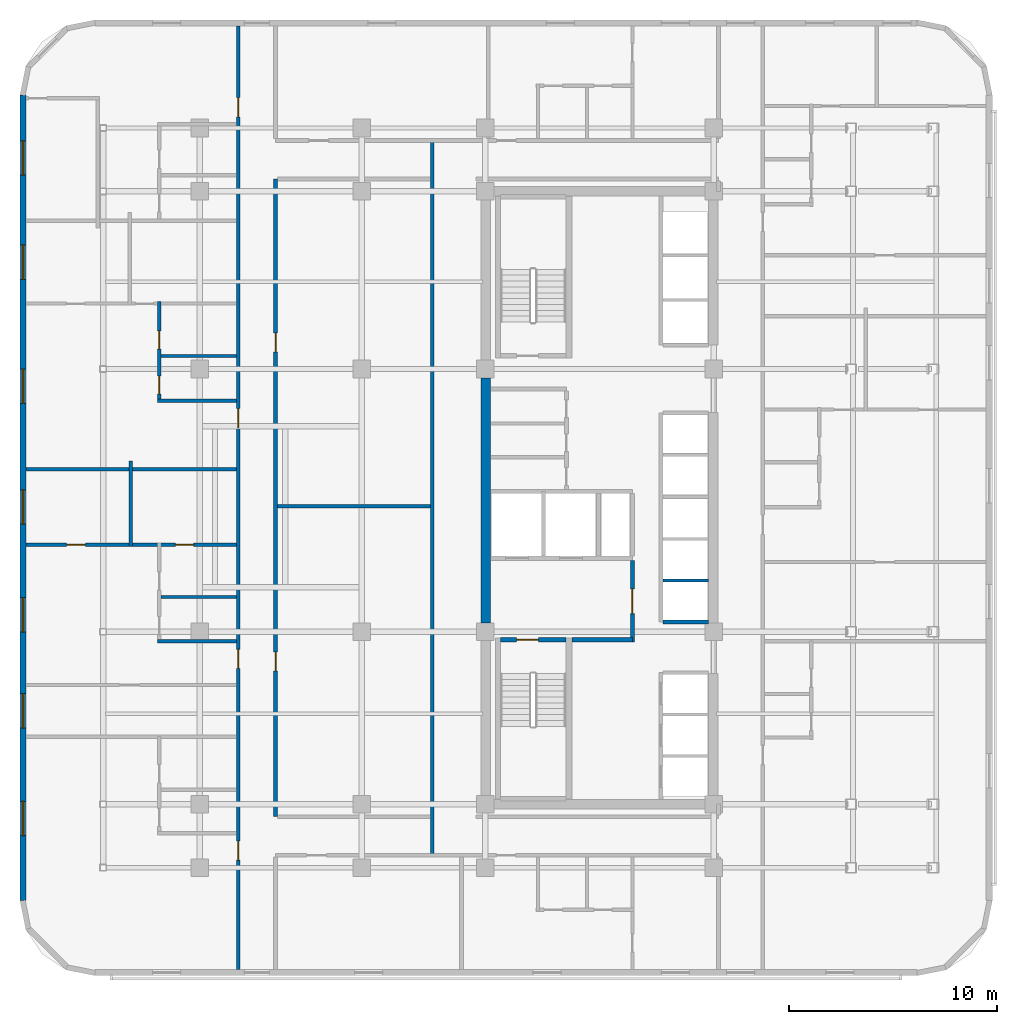
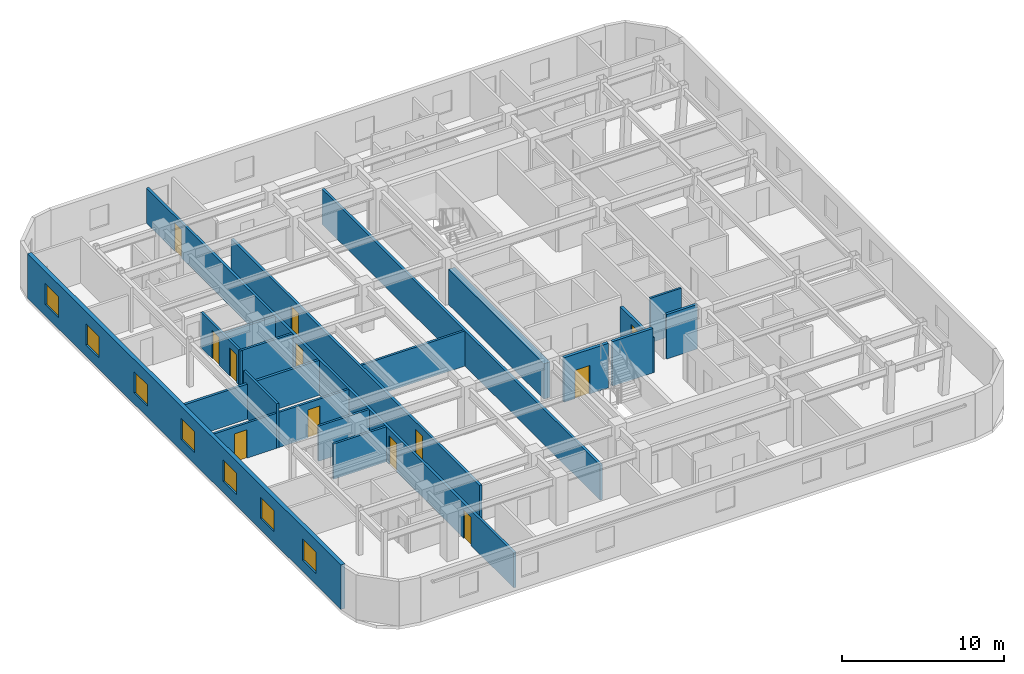
# One storey, part 7 of 14: 19 walls, 12 doors, 7 windows, 19 openings.
"""IFC4 building model written with IfcOpenShell, lengths in metres."""

import ifcopenshell
import ifcopenshell.guid

model = None  # the IFC model being written
_history = None  # IfcOwnerHistory: only IFC2X3 demands one
_inside = {}  # id of a spatial element -> (the spatial element, [elements in it])
_under = {}  # id of a project, library or spatial element -> (it, [spatial elements below it])
_declared = {}  # id of a project -> (the project, [libraries it declares])
_typed = {}  # id of a type object -> (the type object, [elements of that type])
_made_of = {}  # id of a material, layer set ... -> (it, [elements and type objects made of it])


def new_model(schema):
    """Start an empty IFC model of exactly this schema.

    Asked for "IFC4X3", IfcOpenShell would pick the latest addendum, in which some entities
    have other attributes; the version numbers below select the first issue.
    IFC2X3 requires an IfcOwnerHistory on every rooted entity: one is made here for all.
    """
    global model, _history
    if schema == "IFC4X3":
        model = ifcopenshell.file(schema_version=(4, 3, 0, 0))
    else:
        model = ifcopenshell.file(schema=schema)
    _inside.clear()
    _under.clear()
    _declared.clear()
    _typed.clear()
    _made_of.clear()
    _history = None
    if model.schema == "IFC2X3":
        org = make("IfcOrganization", Name="unknown")
        user = make(
            "IfcPersonAndOrganization",
            ThePerson=make("IfcPerson", FamilyName="unknown"),
            TheOrganization=org,
        )
        app = make(
            "IfcApplication",
            ApplicationDeveloper=org,
            Version="unknown",
            ApplicationFullName="unknown",
            ApplicationIdentifier="unknown",
        )
        _history = make(
            "IfcOwnerHistory",
            OwningUser=user,
            OwningApplication=app,
            ChangeAction="ADDED",
            CreationDate=0,
        )
    return model


def make(cls, **values):
    """One entity of the class cls with the attributes given. An attribute that is None is left unset."""
    return model.create_entity(
        cls, **{name: value for name, value in values.items() if value is not None}
    )


def rooted(cls, **values):
    """An entity with a GlobalId (a new one), such as an element, a storey or a relation."""
    return make(cls, GlobalId=ifcopenshell.guid.new(), OwnerHistory=_history, **values)


def si_unit(unit_type, name, prefix=None):
    """IfcSIUnit, for example si_unit("LENGTHUNIT", "METRE", prefix="MILLI")."""
    return make("IfcSIUnit", UnitType=unit_type, Prefix=prefix, Name=name)


def assignment(units):
    """IfcUnitAssignment: the units of a project."""
    return None if units is None else make("IfcUnitAssignment", Units=units)


def point(xyz):
    """IfcCartesianPoint."""
    return None if xyz is None else make("IfcCartesianPoint", Coordinates=xyz)


def direction(xyz):
    """IfcDirection."""
    return None if xyz is None else make("IfcDirection", DirectionRatios=xyz)


def frame(location, z_axis=None, x_axis=None):
    """IfcAxis2Placement3D, a coordinate frame: its origin and axes. An axis left out is left unset."""
    return make(
        "IfcAxis2Placement3D",
        Location=point(location),
        Axis=direction(z_axis),
        RefDirection=direction(x_axis),
    )


def frame_2d(location, x_axis=None):
    """IfcAxis2Placement2D, a coordinate frame in the plane: its origin and x axis."""
    return make(
        "IfcAxis2Placement2D", Location=point(location), RefDirection=direction(x_axis)
    )


def origin():
    """The frame at (0, 0, 0) with its axes left unset."""
    return frame((0.0, 0.0, 0.0))


def place(relative_to, where):
    """IfcLocalPlacement: puts the frame where relative to a parent placement (None: the world)."""
    return make(
        "IfcLocalPlacement", PlacementRelTo=relative_to, RelativePlacement=where
    )


def context(
    kind, dimensions, precision=None, world=None, true_north=None, identifier=None
):
    """IfcGeometricRepresentationContext, for example the 3D "Model" context."""
    return make(
        "IfcGeometricRepresentationContext",
        ContextIdentifier=identifier,
        ContextType=kind,
        CoordinateSpaceDimension=dimensions,
        Precision=precision,
        WorldCoordinateSystem=world,
        TrueNorth=true_north,
    )


def subcontext(parent, identifier, kind, view, scale=None):
    """IfcGeometricRepresentationSubContext, for example "Body" below "Model"."""
    return make(
        "IfcGeometricRepresentationSubContext",
        ContextIdentifier=identifier,
        ContextType=kind,
        ParentContext=parent,
        TargetScale=scale,
        TargetView=view,
    )


def project(units=None, contexts=None):
    """IfcProject with its units and contexts."""
    return rooted(
        "IfcProject",
        Name="project",
        RepresentationContexts=contexts,
        UnitsInContext=assignment(units),
    )


def spatial(cls, under=None, at=None, **own):
    """A site, building, storey or space (cls), placed at a placement, below another one or the project."""
    s = rooted(cls, ObjectPlacement=at, **own)
    if under is not None:
        _under.setdefault(under.id(), (under, []))[1].append(s)
    return s


def profile(cls, at=None, kind="AREA", **sizes):
    """A parametric profile (cls). Its sizes go by their IFC names, for example OverallWidth=200.0."""
    return make(cls, ProfileType=kind, Position=at, **sizes)


def rectangle(**sizes):
    """IfcRectangleProfileDef."""
    return profile("IfcRectangleProfileDef", **sizes)


def extrude(swept, where, along, depth):
    """IfcExtrudedAreaSolid: the profile swept, set in the frame where, extruded along a direction by depth."""
    return make(
        "IfcExtrudedAreaSolid",
        SweptArea=swept,
        Position=where,
        ExtrudedDirection=direction(along),
        Depth=depth,
    )


def shape(context_of_items, identifier, shape_type, items):
    """IfcShapeRepresentation: the items that make up one representation, for example the "Body"."""
    return make(
        "IfcShapeRepresentation",
        ContextOfItems=context_of_items,
        RepresentationIdentifier=identifier,
        RepresentationType=shape_type,
        Items=items,
    )


def material(Name=None, Category=None):
    """IfcMaterial."""
    return make("IfcMaterial", Name=Name, Category=Category)


def layer(
    of_material, thickness, ventilated=None, Name=None, Category=None, Priority=None
):
    """IfcMaterialLayer: one layer of a wall or slab, of a material (None: an air gap)."""
    return make(
        "IfcMaterialLayer",
        Material=of_material,
        LayerThickness=thickness,
        IsVentilated=ventilated,
        Name=Name,
        Category=Category,
        Priority=Priority,
    )


def layer_set(layers, Name=None):
    """IfcMaterialLayerSet."""
    return make("IfcMaterialLayerSet", MaterialLayers=layers, LayerSetName=Name)


def made_of(thing, what):
    """Note that an element or type object is made of a material, layer set ...; save() writes the relation."""
    if what is not None:
        _made_of.setdefault(what.id(), (what, []))[1].append(thing)
    return thing


def type_object(cls, material=None, **own):
    """A type object (cls), such as IfcWallType, which elements share."""
    return made_of(rooted(cls, **own), material)


def element(
    cls,
    number,
    at=None,
    inside=None,
    cuts=None,
    type_object=None,
    material=None,
    context=None,
    identifier="Body",
    shape_type=None,
    held_by="IfcProductDefinitionShape",
    body=None,
    shapes=None,
    **own,
):
    """One element of the class cls, such as IfcWall. Its Tag is "e" and its number.

    at: its placement. inside: the storey or other place that contains it. cuts: it is an
    opening in that element (IfcRelVoidsElement). A single representation is given by context,
    identifier, shape_type and body (its items); several are given by shapes. held_by: the class
    of the entity that holds the representations. save() writes the other relations.
    """
    e = rooted(cls, Tag="e%d" % number, ObjectPlacement=at, **own)
    if body is not None:
        shapes = [shape(context, identifier, shape_type, body)]
    if shapes is not None:
        e.Representation = make(held_by, Representations=shapes)
    if inside is not None:
        _inside.setdefault(inside.id(), (inside, []))[1].append(e)
    if cuts is not None:
        rooted(
            "IfcRelVoidsElement", RelatingBuildingElement=cuts, RelatedOpeningElement=e
        )
    if type_object is not None:
        _typed.setdefault(type_object.id(), (type_object, []))[1].append(e)
    return made_of(e, material)


def fill(opening, filler):
    """IfcRelFillsElement: the door or window that sits in an opening."""
    return rooted(
        "IfcRelFillsElement",
        RelatingOpeningElement=opening,
        RelatedBuildingElement=filler,
    )


def aggregate(whole, parts):
    """IfcRelAggregates: a whole, such as a stair, and the parts it consists of."""
    return rooted("IfcRelAggregates", RelatingObject=whole, RelatedObjects=parts)


def save(model, path):
    """Write the relations noted so far, then the file.

    IfcRelAggregates (storeys below a building ...), IfcRelContainedInSpatialStructure (elements
    in a storey), IfcRelDefinesByType, IfcRelAssociatesMaterial and IfcRelDeclares: one each for
    every whole, place, type object, material and project.
    """
    for whole, parts in _under.values():
        aggregate(whole, parts)
    for where, things in _inside.values():
        rooted(
            "IfcRelContainedInSpatialStructure",
            RelatedElements=things,
            RelatingStructure=where,
        )
    for kind, things in _typed.values():
        rooted("IfcRelDefinesByType", RelatedObjects=things, RelatingType=kind)
    for what, things in _made_of.values():
        rooted("IfcRelAssociatesMaterial", RelatedObjects=things, RelatingMaterial=what)
    for by, libraries in _declared.values():
        rooted("IfcRelDeclares", RelatingContext=by, RelatedDefinitions=libraries)
    model.write(path)


model = new_model("IFC4")

# Units and contexts
model_context = context("Model", 3, precision=1e-05, world=origin(), true_north=direction((0.0, 1.0)))
body_context = subcontext(model_context, "Body", "Model", "MODEL_VIEW")
ifc_project = project(units=[si_unit("LENGTHUNIT", "METRE"), si_unit("AREAUNIT", "SQUARE_METRE"), si_unit("VOLUMEUNIT", "CUBIC_METRE"), si_unit("PLANEANGLEUNIT", "RADIAN"), si_unit("MASSUNIT", "GRAM", prefix="KILO")], contexts=[model_context])

# Site, building, storey
site_placement = place(None, origin())
site = spatial("IfcSite", under=ifc_project, at=site_placement, CompositionType="ELEMENT")
building_placement = place(site_placement, origin())
building = spatial("IfcBuilding", under=site, at=building_placement, Name="Ochreholt Gables", CompositionType="ELEMENT")
storey_placement = place(building_placement, frame((0.0, 0.0, 52.800048828125)))
storey = spatial("IfcBuildingStorey", under=building, at=storey_placement, Name="L13", CompositionType="ELEMENT", Elevation=52.800048828125)

# Wall
ifc_material_1 = material(Name="Concrete 60 MPa", Category="concrete")
ifc_layer_1 = layer(ifc_material_1, 0.449951171875, Name="Concrete 60 MPa")
ifc_layer_set_1 = layer_set([ifc_layer_1], Name="Concrete 60 MPa")
wall_type_1 = type_object("IfcWallType", Name="WALL-CSW-450", PredefinedType="SHEAR", material=ifc_layer_set_1)
wall_1_placement = place(storey_placement, frame((24.22509765625, 17.97509765625, 0.0), z_axis=(0.0, 0.0, 1.0), x_axis=(0.0, 1.0, 0.0)))
element("IfcWall", 1, at=wall_1_placement, inside=storey, type_object=wall_type_1, Name="L13 Core West Shear Wall WM", PredefinedType="SHEAR", context=body_context, shape_type="SweptSolid", body=[
    extrude(rectangle(XDim=11.7998046875, YDim=0.449951171875, at=frame_2d((5.89990234375, 0.0))), origin(), (0.0, 0.0, 1.0), 2.6669921875),
])

# Wall, openings, windows
ifc_material_2 = material(Name="Precast concrete 40 MPa", Category="concrete")
ifc_layer_2 = layer(ifc_material_2, 0.2900390625, Name="Precast concrete 40 MPa")
ifc_layer_set_2 = layer_set([ifc_layer_2], Name="Precast concrete 40 MPa")
wall_type_2 = type_object("IfcWallType", Name="WALL-EXT-290", PredefinedType="SOLIDWALL", material=ifc_layer_set_2)
wall_2_placement = place(storey_placement, frame((1.945068359375, 43.3798828125, 0.0), z_axis=(0.0, 0.0, 1.0), x_axis=(0.0, -1.0, 0.0)))
wall_2 = element("IfcWall", 2, at=wall_2_placement, inside=storey, type_object=wall_type_2, Name="L13 West Exterior Wall", PredefinedType="SOLIDWALL", context=body_context, shape_type="SweptSolid", body=[
    extrude(rectangle(XDim=38.759765625, YDim=0.2900390625, at=frame_2d((19.3798828125, 0.0))), origin(), (0.0, 0.0, 1.0), 3.35986328125),
])
opening_1_placement = place(wall_2_placement, frame((33.9951171875, 0.0, 0.85009765625)))
opening_1 = element("IfcOpeningElement", 3, at=opening_1_placement, cuts=wall_2, Name="Opening WN-7", PredefinedType="OPENING", context=body_context, shape_type="SweptSolid", body=[
    extrude(rectangle(XDim=1.64990234375, YDim=1.60009765625, at=frame_2d((0.824951171875, 0.800048828125))), frame((0.0, 0.155029296875, 0.0), z_axis=(0.0, -1.0, 0.0), x_axis=(1.0, 0.0, 0.0)), (0.0, 0.0, 1.0), 0.31005859375),
])
opening_2_placement = place(wall_2_placement, frame((28.81005859375, 0.0, 0.85009765625)))
opening_2 = element("IfcOpeningElement", 4, at=opening_2_placement, cuts=wall_2, Name="Opening WN-7", PredefinedType="OPENING", context=body_context, shape_type="SweptSolid", body=[
    extrude(rectangle(XDim=1.64990234375, YDim=1.60009765625, at=frame_2d((0.824951171875, 0.800048828125))), frame((0.0, 0.155029296875, 0.0), z_axis=(0.0, -1.0, 0.0), x_axis=(1.0, 0.0, 0.0)), (0.0, 0.0, 1.0), 0.31005859375),
])
opening_3_placement = place(wall_2_placement, frame((24.18994140625, 0.0, 0.85009765625)))
opening_3 = element("IfcOpeningElement", 5, at=opening_3_placement, cuts=wall_2, Name="Opening WN-7", PredefinedType="OPENING", context=body_context, shape_type="SweptSolid", body=[
    extrude(rectangle(XDim=1.64990234375, YDim=1.60009765625, at=frame_2d((0.824951171875, 0.800048828125))), frame((0.0, 0.155029296875, 0.0), z_axis=(0.0, -1.0, 0.0), x_axis=(1.0, 0.0, 0.0)), (0.0, 0.0, 1.0), 0.31005859375),
])
opening_4_placement = place(wall_2_placement, frame((18.9951171875, 0.0, 0.85009765625)))
opening_4 = element("IfcOpeningElement", 6, at=opening_4_placement, cuts=wall_2, Name="Opening WN-7", PredefinedType="OPENING", context=body_context, shape_type="SweptSolid", body=[
    extrude(rectangle(XDim=1.64990234375, YDim=1.60009765625, at=frame_2d((0.824951171875, 0.800048828125))), frame((0.0, 0.155029296875, 0.0), z_axis=(0.0, -1.0, 0.0), x_axis=(1.0, 0.0, 0.0)), (0.0, 0.0, 1.0), 0.31005859375),
])
opening_5_placement = place(wall_2_placement, frame((13.18994140625, 0.0, 0.85009765625)))
opening_5 = element("IfcOpeningElement", 7, at=opening_5_placement, cuts=wall_2, Name="Opening WN-7", PredefinedType="OPENING", context=body_context, shape_type="SweptSolid", body=[
    extrude(rectangle(XDim=1.64990234375, YDim=1.60009765625, at=frame_2d((0.824951171875, 0.800048828125))), frame((0.0, 0.155029296875, 0.0), z_axis=(0.0, -1.0, 0.0), x_axis=(1.0, 0.0, 0.0)), (0.0, 0.0, 1.0), 0.31005859375),
])
opening_6_placement = place(wall_2_placement, frame((7.2099609375, 0.0, 0.85009765625)))
opening_6 = element("IfcOpeningElement", 8, at=opening_6_placement, cuts=wall_2, Name="Opening WN-7", PredefinedType="OPENING", context=body_context, shape_type="SweptSolid", body=[
    extrude(rectangle(XDim=1.64990234375, YDim=1.60009765625, at=frame_2d((0.824951171875, 0.800048828125))), frame((0.0, 0.155029296875, 0.0), z_axis=(0.0, -1.0, 0.0), x_axis=(1.0, 0.0, 0.0)), (0.0, 0.0, 1.0), 0.31005859375),
])
opening_7_placement = place(wall_2_placement, frame((2.195068359375, 0.0, 0.85009765625)))
opening_7 = element("IfcOpeningElement", 9, at=opening_7_placement, cuts=wall_2, Name="Opening WN-7", PredefinedType="OPENING", context=body_context, shape_type="SweptSolid", body=[
    extrude(rectangle(XDim=1.64990234375, YDim=1.60009765625, at=frame_2d((0.824951171875, 0.800048828125))), frame((0.0, 0.155029296875, 0.0), z_axis=(0.0, -1.0, 0.0), x_axis=(1.0, 0.0, 0.0)), (0.0, 0.0, 1.0), 0.31005859375),
])
ifc_material_3 = material(Name="Triple-Glazed Thermally Broken Aluminium Window", Category="aluminium")
window_type = type_object("IfcWindowType", Name="WIN-RES-1650", PartitioningType="SINGLE_PANEL", PredefinedType="WINDOW", material=ifc_material_3)
window_1_placement = place(opening_1_placement, origin())
window_1 = element("IfcWindow", 10, at=window_1_placement, inside=storey, type_object=window_type, Name="L13 Window W-EXT-W-L13-1", OverallHeight=1.60009765625, OverallWidth=1.64990234375, PartitioningType="SINGLE_PANEL", PredefinedType="WINDOW", context=body_context, shape_type="SweptSolid", body=[
    extrude(rectangle(XDim=1.64990234375, YDim=1.60009765625, at=frame_2d((0.824951171875, 0.800048828125))), frame((0.0, 0.030029296875, 0.0), z_axis=(0.0, -1.0, 0.0), x_axis=(1.0, 0.0, 0.0)), (0.0, 0.0, 1.0), 0.06005859375),
])
fill(opening_1, window_1)
window_2_placement = place(opening_2_placement, origin())
window_2 = element("IfcWindow", 11, at=window_2_placement, inside=storey, type_object=window_type, Name="L13 Window W-EXT-W-L13-2", OverallHeight=1.60009765625, OverallWidth=1.64990234375, PartitioningType="SINGLE_PANEL", PredefinedType="WINDOW", context=body_context, shape_type="SweptSolid", body=[
    extrude(rectangle(XDim=1.64990234375, YDim=1.60009765625, at=frame_2d((0.824951171875, 0.800048828125))), frame((0.0, 0.030029296875, 0.0), z_axis=(0.0, -1.0, 0.0), x_axis=(1.0, 0.0, 0.0)), (0.0, 0.0, 1.0), 0.06005859375),
])
fill(opening_2, window_2)
window_3_placement = place(opening_3_placement, origin())
window_3 = element("IfcWindow", 12, at=window_3_placement, inside=storey, type_object=window_type, Name="L13 Window W-EXT-W-L13-3", OverallHeight=1.60009765625, OverallWidth=1.64990234375, PartitioningType="SINGLE_PANEL", PredefinedType="WINDOW", context=body_context, shape_type="SweptSolid", body=[
    extrude(rectangle(XDim=1.64990234375, YDim=1.60009765625, at=frame_2d((0.824951171875, 0.800048828125))), frame((0.0, 0.030029296875, 0.0), z_axis=(0.0, -1.0, 0.0), x_axis=(1.0, 0.0, 0.0)), (0.0, 0.0, 1.0), 0.06005859375),
])
fill(opening_3, window_3)
window_4_placement = place(opening_4_placement, origin())
window_4 = element("IfcWindow", 13, at=window_4_placement, inside=storey, type_object=window_type, Name="L13 Window W-EXT-W-L13-4", OverallHeight=1.60009765625, OverallWidth=1.64990234375, PartitioningType="SINGLE_PANEL", PredefinedType="WINDOW", context=body_context, shape_type="SweptSolid", body=[
    extrude(rectangle(XDim=1.64990234375, YDim=1.60009765625, at=frame_2d((0.824951171875, 0.800048828125))), frame((0.0, 0.030029296875, 0.0), z_axis=(0.0, -1.0, 0.0), x_axis=(1.0, 0.0, 0.0)), (0.0, 0.0, 1.0), 0.06005859375),
])
fill(opening_4, window_4)
window_5_placement = place(opening_5_placement, origin())
window_5 = element("IfcWindow", 14, at=window_5_placement, inside=storey, type_object=window_type, Name="L13 Window W-EXT-W-L13-5", OverallHeight=1.60009765625, OverallWidth=1.64990234375, PartitioningType="SINGLE_PANEL", PredefinedType="WINDOW", context=body_context, shape_type="SweptSolid", body=[
    extrude(rectangle(XDim=1.64990234375, YDim=1.60009765625, at=frame_2d((0.824951171875, 0.800048828125))), frame((0.0, 0.030029296875, 0.0), z_axis=(0.0, -1.0, 0.0), x_axis=(1.0, 0.0, 0.0)), (0.0, 0.0, 1.0), 0.06005859375),
])
fill(opening_5, window_5)
window_6_placement = place(opening_6_placement, origin())
window_6 = element("IfcWindow", 15, at=window_6_placement, inside=storey, type_object=window_type, Name="L13 Window W-EXT-W-L13-6", OverallHeight=1.60009765625, OverallWidth=1.64990234375, PartitioningType="SINGLE_PANEL", PredefinedType="WINDOW", context=body_context, shape_type="SweptSolid", body=[
    extrude(rectangle(XDim=1.64990234375, YDim=1.60009765625, at=frame_2d((0.824951171875, 0.800048828125))), frame((0.0, 0.030029296875, 0.0), z_axis=(0.0, -1.0, 0.0), x_axis=(1.0, 0.0, 0.0)), (0.0, 0.0, 1.0), 0.06005859375),
])
fill(opening_6, window_6)
window_7_placement = place(opening_7_placement, origin())
window_7 = element("IfcWindow", 16, at=window_7_placement, inside=storey, type_object=window_type, Name="L13 Window W-EXT-W-L13-7", OverallHeight=1.60009765625, OverallWidth=1.64990234375, PartitioningType="SINGLE_PANEL", PredefinedType="WINDOW", context=body_context, shape_type="SweptSolid", body=[
    extrude(rectangle(XDim=1.64990234375, YDim=1.60009765625, at=frame_2d((0.824951171875, 0.800048828125))), frame((0.0, 0.030029296875, 0.0), z_axis=(0.0, -1.0, 0.0), x_axis=(1.0, 0.0, 0.0)), (0.0, 0.0, 1.0), 0.06005859375),
])
fill(opening_7, window_7)

# Wall
ifc_material_4 = material(Name="Concrete 40 MPa", Category="concrete")
ifc_layer_3 = layer(ifc_material_4, 0.199951171875, Name="Concrete 40 MPa")
ifc_layer_set_3 = layer_set([ifc_layer_3], Name="Concrete 40 MPa")
wall_type_3 = type_object("IfcWallType", Name="WALL-INT-CF200", PredefinedType="STANDARD", material=ifc_layer_set_3)
wall_3_placement = place(storey_placement, frame((28.3798828125, 17.169921875, 0.0), z_axis=(0.0, 0.0, 1.0), x_axis=(1.0, 0.0, 0.0)))
element("IfcWall", 17, at=wall_3_placement, inside=storey, type_object=wall_type_3, Name="L13 Interior Wall WI-FFS-L13", PredefinedType="STANDARD", context=body_context, shape_type="SweptSolid", body=[
    extrude(rectangle(XDim=2.900146484375, YDim=0.199951171875, at=frame_2d((1.4501953125, 0.0))), origin(), (0.0, 0.0, 1.0), 3.35986328125),
])

# Wall, opening, door
wall_4_placement = place(storey_placement, frame((31.280029296875, 17.070068359375, 0.0), z_axis=(0.0, 0.0, 1.0), x_axis=(0.0, 1.0, 0.0)))
wall_4 = element("IfcWall", 18, at=wall_4_placement, inside=storey, type_object=wall_type_3, Name="L13 Interior Wall WI-FFE-L13", PredefinedType="STANDARD", context=body_context, shape_type="SweptSolid", body=[
    extrude(rectangle(XDim=3.919921875, YDim=0.199951171875, at=frame_2d((1.9599609375, 0.0))), origin(), (0.0, 0.0, 1.0), 2.64892578125),
])
opening_8_placement = place(wall_4_placement, frame((1.35009765625, 0.0, 0.0)))
opening_8 = element("IfcOpeningElement", 19, at=opening_8_placement, cuts=wall_4, Name="Opening D-FFL", PredefinedType="OPENING", context=body_context, shape_type="SweptSolid", body=[
    extrude(rectangle(XDim=1.199951171875, YDim=2.14990234375, at=frame_2d((0.60009765625, 1.074951171875))), frame((0.0, 0.10986328125, 0.0), z_axis=(0.0, -1.0, 0.0), x_axis=(1.0, 0.0, 0.0)), (0.0, 0.0, 1.0), 0.219970703125),
])
ifc_material_5 = material(Name="Hollow Metal Steel", Category="steel")
door_type_1 = type_object("IfcDoorType", Name="DR-INT-FFL1200", OperationType="NOTDEFINED", PredefinedType="DOOR", material=ifc_material_5)
door_1_placement = place(opening_8_placement, origin())
door_1 = element("IfcDoor", 20, at=door_1_placement, inside=storey, type_object=door_type_1, Name="L13 Door D-FFL-L13", OperationType="SINGLE_SWING_LEFT", OverallHeight=2.14990234375, OverallWidth=1.199951171875, PredefinedType="DOOR", context=body_context, shape_type="SweptSolid", body=[
    extrude(rectangle(XDim=1.199951171875, YDim=2.14990234375, at=frame_2d((0.60009765625, 1.074951171875))), frame((0.0, 0.02490234375, 0.0), z_axis=(0.0, -1.0, 0.0), x_axis=(1.0, 0.0, 0.0)), (0.0, 0.0, 1.0), 0.050048828125),
])
fill(opening_8, door_1)

# Wall
ifc_material_6 = material(Name="Fire-Rated Gypsum Acoustic Partition", Category="gypsum")
ifc_layer_4 = layer(ifc_material_6, 0.179931640625, Name="Fire-Rated Gypsum Acoustic Partition")
ifc_layer_set_4 = layer_set([ifc_layer_4], Name="Fire-Rated Gypsum Acoustic Partition")
wall_type_4 = type_object("IfcWallType", Name="WALL-INT-CR180", PredefinedType="STANDARD", material=ifc_layer_set_4)
wall_5_placement = place(storey_placement, frame((21.64990234375, 6.800048828125, 0.0), z_axis=(0.0, 0.0, 1.0), x_axis=(0.0, 1.0, 0.0)))
element("IfcWall", 21, at=wall_5_placement, inside=storey, type_object=wall_type_4, Name="L13 Interior Wall WI-C1W-L13", PredefinedType="STANDARD", context=body_context, shape_type="SweptSolid", body=[
    extrude(rectangle(XDim=34.39990234375, YDim=0.179931640625, at=frame_2d((17.199951171875, 0.0))), origin(), (0.0, 0.0, 1.0), 2.64892578125),
])

# Wall, openings, doors
wall_6_placement = place(storey_placement, frame((12.300048828125, 1.2900390625, 0.0), z_axis=(0.0, 0.0, 1.0), x_axis=(0.0, 1.0, 0.0)))
wall_6 = element("IfcWall", 22, at=wall_6_placement, inside=storey, type_object=wall_type_4, Name="L13 Interior Wall WI-C1WW-L13", PredefinedType="STANDARD", context=body_context, shape_type="SweptSolid", body=[
    extrude(rectangle(XDim=45.419921875, YDim=0.179931640625, at=frame_2d((22.7099609375, 0.0))), origin(), (0.0, 0.0, 1.0), 2.64892578125),
])
opening_9_placement = place(wall_6_placement, frame((5.27001953125, 0.0, 0.0)))
opening_9 = element("IfcOpeningElement", 23, at=opening_9_placement, cuts=wall_6, Name="Opening D-UN1", PredefinedType="OPENING", context=body_context, shape_type="SweptSolid", body=[
    extrude(rectangle(XDim=0.919921875, YDim=2.14990234375, at=frame_2d((0.4599609375, 1.074951171875))), frame((0.0, 0.099853515625, 0.0), z_axis=(0.0, -1.0, 0.0), x_axis=(1.0, 0.0, 0.0)), (0.0, 0.0, 1.0), 0.199951171875),
])
opening_10_placement = place(wall_6_placement, frame((14.5, 0.0, 0.0)))
opening_10 = element("IfcOpeningElement", 24, at=opening_10_placement, cuts=wall_6, Name="Opening D-UN1", PredefinedType="OPENING", context=body_context, shape_type="SweptSolid", body=[
    extrude(rectangle(XDim=0.919921875, YDim=2.14990234375, at=frame_2d((0.4599609375, 1.074951171875))), frame((0.0, 0.099853515625, 0.0), z_axis=(0.0, -1.0, 0.0), x_axis=(1.0, 0.0, 0.0)), (0.0, 0.0, 1.0), 0.199951171875),
])
opening_11_placement = place(wall_6_placement, frame((26.08154296875, 0.0, 0.0)))
opening_11 = element("IfcOpeningElement", 25, at=opening_11_placement, cuts=wall_6, Name="Opening D-UN1", PredefinedType="OPENING", context=body_context, shape_type="SweptSolid", body=[
    extrude(rectangle(XDim=0.919921875, YDim=2.14990234375, at=frame_2d((0.4599609375, 1.074951171875))), frame((0.0, 0.099853515625, 0.0), z_axis=(0.0, -1.0, 0.0), x_axis=(1.0, 0.0, 0.0)), (0.0, 0.0, 1.0), 0.199951171875),
])
opening_12_placement = place(wall_6_placement, frame((41.050048828125, 0.0, 0.0)))
opening_12 = element("IfcOpeningElement", 26, at=opening_12_placement, cuts=wall_6, Name="Opening D-UN1", PredefinedType="OPENING", context=body_context, shape_type="SweptSolid", body=[
    extrude(rectangle(XDim=0.919921875, YDim=2.14990234375, at=frame_2d((0.4599609375, 1.074951171875))), frame((0.0, 0.099853515625, 0.0), z_axis=(0.0, -1.0, 0.0), x_axis=(1.0, 0.0, 0.0)), (0.0, 0.0, 1.0), 0.199951171875),
])
ifc_material_7 = material(Name="Engineered Oak Timber", Category="wood")
door_type_2 = type_object("IfcDoorType", Name="DR-INT-UNT920", OperationType="NOTDEFINED", PredefinedType="DOOR", material=ifc_material_7)
door_2_placement = place(opening_9_placement, origin())
door_2 = element("IfcDoor", 27, at=door_2_placement, inside=storey, type_object=door_type_2, Name="L13 Door D-U-L13W1-ENT", OperationType="SINGLE_SWING_LEFT", OverallHeight=2.14990234375, OverallWidth=0.919921875, PredefinedType="DOOR", context=body_context, shape_type="SweptSolid", body=[
    extrude(rectangle(XDim=0.919921875, YDim=2.14990234375, at=frame_2d((0.4599609375, 1.074951171875))), frame((0.0, 0.02490234375, 0.0), z_axis=(0.0, -1.0, 0.0), x_axis=(1.0, 0.0, 0.0)), (0.0, 0.0, 1.0), 0.050048828125),
])
fill(opening_9, door_2)
door_3_placement = place(opening_10_placement, origin())
door_3 = element("IfcDoor", 28, at=door_3_placement, inside=storey, type_object=door_type_2, Name="L13 Door D-U-L13W2-ENT", OperationType="SINGLE_SWING_RIGHT", OverallHeight=2.14990234375, OverallWidth=0.919921875, PredefinedType="DOOR", context=body_context, shape_type="SweptSolid", body=[
    extrude(rectangle(XDim=0.919921875, YDim=2.14990234375, at=frame_2d((0.4599609375, 1.074951171875))), frame((0.0, 0.02490234375, 0.0), z_axis=(0.0, -1.0, 0.0), x_axis=(1.0, 0.0, 0.0)), (0.0, 0.0, 1.0), 0.050048828125),
])
fill(opening_10, door_3)
door_4_placement = place(opening_11_placement, origin())
door_4 = element("IfcDoor", 29, at=door_4_placement, inside=storey, type_object=door_type_2, Name="L13 Door D-U-L13W3-ENT", OperationType="SINGLE_SWING_LEFT", OverallHeight=2.14990234375, OverallWidth=0.919921875, PredefinedType="DOOR", context=body_context, shape_type="SweptSolid", body=[
    extrude(rectangle(XDim=0.919921875, YDim=2.14990234375, at=frame_2d((0.4599609375, 1.074951171875))), frame((0.0, 0.02490234375, 0.0), z_axis=(0.0, -1.0, 0.0), x_axis=(1.0, 0.0, 0.0)), (0.0, 0.0, 1.0), 0.050048828125),
])
fill(opening_11, door_4)
door_5_placement = place(opening_12_placement, origin())
door_5 = element("IfcDoor", 30, at=door_5_placement, inside=storey, type_object=door_type_2, Name="L13 Door D-U-L13W4-ENT", OperationType="SINGLE_SWING_RIGHT", OverallHeight=2.14990234375, OverallWidth=0.919921875, PredefinedType="DOOR", context=body_context, shape_type="SweptSolid", body=[
    extrude(rectangle(XDim=0.919921875, YDim=2.14990234375, at=frame_2d((0.4599609375, 1.074951171875))), frame((0.0, 0.02490234375, 0.0), z_axis=(0.0, -1.0, 0.0), x_axis=(1.0, 0.0, 0.0)), (0.0, 0.0, 1.0), 0.050048828125),
])
fill(opening_12, door_5)

wall_7_placement = place(storey_placement, frame((14.10009765625, 8.64990234375, 0.0), z_axis=(0.0, 0.0, 1.0), x_axis=(0.0, 1.0, 0.0)))
wall_7 = element("IfcWall", 31, at=wall_7_placement, inside=storey, type_object=wall_type_4, Name="L13 Interior Wall WI-C1WE-L13", PredefinedType="STANDARD", context=body_context, shape_type="SweptSolid", body=[
    extrude(rectangle(XDim=30.7001953125, YDim=0.179931640625, at=frame_2d((15.35009765625, 0.0))), origin(), (0.0, 0.0, 1.0), 2.64892578125),
])
opening_13_placement = place(wall_7_placement, frame((7.02490234375, 0.0, 0.0)))
opening_13 = element("IfcOpeningElement", 32, at=opening_13_placement, cuts=wall_7, Name="Opening D-SV1", PredefinedType="OPENING", context=body_context, shape_type="SweptSolid", body=[
    extrude(rectangle(XDim=0.89990234375, YDim=2.10009765625, at=frame_2d((0.449951171875, 1.050048828125))), frame((0.0, 0.099853515625, 0.0), z_axis=(0.0, -1.0, 0.0), x_axis=(1.0, 0.0, 0.0)), (0.0, 0.0, 1.0), 0.199951171875),
])
opening_14_placement = place(wall_7_placement, frame((22.375, 0.0, 0.0)))
opening_14 = element("IfcOpeningElement", 33, at=opening_14_placement, cuts=wall_7, Name="Opening D-SV1", PredefinedType="OPENING", context=body_context, shape_type="SweptSolid", body=[
    extrude(rectangle(XDim=0.89990234375, YDim=2.10009765625, at=frame_2d((0.449951171875, 1.050048828125))), frame((0.0, 0.099853515625, 0.0), z_axis=(0.0, -1.0, 0.0), x_axis=(1.0, 0.0, 0.0)), (0.0, 0.0, 1.0), 0.199951171875),
])
door_type_3 = type_object("IfcDoorType", Name="DR-INT-SRV900", OperationType="NOTDEFINED", PredefinedType="DOOR", material=ifc_material_5)
door_6_placement = place(opening_13_placement, origin())
door_6 = element("IfcDoor", 34, at=door_6_placement, inside=storey, type_object=door_type_3, Name="L13 Door D-C1IW1-L13", OperationType="SINGLE_SWING_LEFT", OverallHeight=2.10009765625, OverallWidth=0.89990234375, PredefinedType="DOOR", context=body_context, shape_type="SweptSolid", body=[
    extrude(rectangle(XDim=0.89990234375, YDim=2.10009765625, at=frame_2d((0.449951171875, 1.050048828125))), frame((0.0, 0.02490234375, 0.0), z_axis=(0.0, -1.0, 0.0), x_axis=(1.0, 0.0, 0.0)), (0.0, 0.0, 1.0), 0.050048828125),
])
fill(opening_13, door_6)
door_7_placement = place(opening_14_placement, origin())
door_7 = element("IfcDoor", 35, at=door_7_placement, inside=storey, type_object=door_type_3, Name="L13 Door D-C1IW2-L13", OperationType="SINGLE_SWING_RIGHT", OverallHeight=2.10009765625, OverallWidth=0.89990234375, PredefinedType="DOOR", context=body_context, shape_type="SweptSolid", body=[
    extrude(rectangle(XDim=0.89990234375, YDim=2.10009765625, at=frame_2d((0.449951171875, 1.050048828125))), frame((0.0, 0.02490234375, 0.0), z_axis=(0.0, -1.0, 0.0), x_axis=(1.0, 0.0, 0.0)), (0.0, 0.0, 1.0), 0.050048828125),
])
fill(opening_14, door_7)

# Walls
ifc_material_8 = material(Name="Double-Stud Acoustic Demising Wall", Category="gypsum")
ifc_layer_5 = layer(ifc_material_8, 0.179931640625, Name="Double-Stud Acoustic Demising Wall")
ifc_layer_set_5 = layer_set([ifc_layer_5], Name="Double-Stud Acoustic Demising Wall")
wall_type_5 = type_object("IfcWallType", Name="WALL-INT-DM180", PredefinedType="PARTITIONING", material=ifc_layer_set_5)
wall_8_placement = place(storey_placement, frame((2.090087890625, 25.3798828125, 0.0), z_axis=(0.0, 0.0, 1.0), x_axis=(1.0, 0.0, 0.0)))
element("IfcWall", 36, at=wall_8_placement, inside=storey, type_object=wall_type_5, Name="L13 Interior Wall WI-UDW3-L13", PredefinedType="PARTITIONING", context=body_context, shape_type="SweptSolid", body=[
    extrude(rectangle(XDim=10.119873046875, YDim=0.179931640625, at=frame_2d((5.06005859375, 0.0))), origin(), (0.0, 0.0, 1.0), 2.64892578125),
])
ifc_material_9 = material(Name="Moisture-Resistant Plumbing Chase Wall", Category="gypsum")
ifc_layer_6 = layer(ifc_material_9, 0.159912109375, Name="Moisture-Resistant Plumbing Chase Wall")
ifc_layer_set_6 = layer_set([ifc_layer_6], Name="Moisture-Resistant Plumbing Chase Wall")
wall_type_6 = type_object("IfcWallType", Name="WALL-INT-PL160", PredefinedType="PLUMBINGWALL", material=ifc_layer_set_6)
wall_9_placement = place(storey_placement, frame((8.429931640625, 17.090087890625, 0.0), z_axis=(0.0, 0.0, 1.0), x_axis=(1.0, 0.0, 0.0)))
element("IfcWall", 37, at=wall_9_placement, inside=storey, type_object=wall_type_6, Name="L13 Interior Wall WU-L13W2-FYS", PredefinedType="PLUMBINGWALL", context=body_context, shape_type="SweptSolid", body=[
    extrude(rectangle(XDim=3.780029296875, YDim=0.159912109375, at=frame_2d((1.89013671875, 0.0))), origin(), (0.0, 0.0, 1.0), 2.64892578125),
])
wall_10_placement = place(storey_placement, frame((8.590087890625, 19.22900390625, 0.0), z_axis=(0.0, 0.0, 1.0), x_axis=(1.0, 0.0, 0.0)))
element("IfcWall", 38, at=wall_10_placement, inside=storey, type_object=wall_type_6, Name="L13 Interior Wall WU-L13W2-WK", PredefinedType="PLUMBINGWALL", context=body_context, shape_type="SweptSolid", body=[
    extrude(rectangle(XDim=3.619873046875, YDim=0.159912109375, at=frame_2d((1.81005859375, 0.0))), origin(), (0.0, 0.0, 1.0), 2.64892578125),
])
wall_11_placement = place(storey_placement, frame((8.429931640625, 28.67138671875, 0.0), z_axis=(0.0, 0.0, 1.0), x_axis=(1.0, 0.0, 0.0)))
element("IfcWall", 39, at=wall_11_placement, inside=storey, type_object=wall_type_6, Name="L13 Interior Wall WU-L13W3-FYS", PredefinedType="PLUMBINGWALL", context=body_context, shape_type="SweptSolid", body=[
    extrude(rectangle(XDim=3.780029296875, YDim=0.159912109375, at=frame_2d((1.89013671875, 0.0))), origin(), (0.0, 0.0, 1.0), 2.64892578125),
])

# Wall, openings, doors
wall_12_placement = place(storey_placement, frame((8.510009765625, 28.58154296875, 0.0), z_axis=(0.0, 0.0, 1.0), x_axis=(0.0, 1.0, 0.0)))
wall_12 = element("IfcWall", 40, at=wall_12_placement, inside=storey, type_object=wall_type_6, Name="L13 Interior Wall WU-L13W3-WX", PredefinedType="PLUMBINGWALL", context=body_context, shape_type="SweptSolid", body=[
    extrude(rectangle(XDim=4.8583984375, YDim=0.159912109375, at=frame_2d((2.42919921875, 0.0))), origin(), (0.0, 0.0, 1.0), 2.64892578125),
])
opening_15_placement = place(wall_12_placement, frame((0.419921875, 0.0, 0.0)))
opening_15 = element("IfcOpeningElement", 41, at=opening_15_placement, cuts=wall_12, Name="Opening D-BT1", PredefinedType="OPENING", context=body_context, shape_type="SweptSolid", body=[
    extrude(rectangle(XDim=0.860107421875, YDim=2.1201171875, at=frame_2d((0.43017578125, 1.06005859375))), frame((0.0, 0.08984375, 0.0), z_axis=(0.0, -1.0, 0.0), x_axis=(1.0, 0.0, 0.0)), (0.0, 0.0, 1.0), 0.179931640625),
])
opening_16_placement = place(wall_12_placement, frame((2.572021484375, 0.0, 0.0)))
opening_16 = element("IfcOpeningElement", 42, at=opening_16_placement, cuts=wall_12, Name="Opening D-GN2", PredefinedType="OPENING", context=body_context, shape_type="SweptSolid", body=[
    extrude(rectangle(XDim=0.8798828125, YDim=2.1201171875, at=frame_2d((0.43994140625, 1.06005859375))), frame((0.0, 0.08984375, 0.0), z_axis=(0.0, -1.0, 0.0), x_axis=(1.0, 0.0, 0.0)), (0.0, 0.0, 1.0), 0.179931640625),
])
door_type_4 = type_object("IfcDoorType", Name="DR-INT-BTH860", OperationType="NOTDEFINED", PredefinedType="DOOR", material=ifc_material_7)
door_8_placement = place(opening_15_placement, origin())
door_8 = element("IfcDoor", 43, at=door_8_placement, inside=storey, type_object=door_type_4, Name="L13 Door D-U-L13W3-BTH", OperationType="SINGLE_SWING_RIGHT", OverallHeight=2.1201171875, OverallWidth=0.860107421875, PredefinedType="DOOR", context=body_context, shape_type="SweptSolid", body=[
    extrude(rectangle(XDim=0.860107421875, YDim=2.1201171875, at=frame_2d((0.43017578125, 1.06005859375))), frame((0.0, 0.02490234375, 0.0), z_axis=(0.0, -1.0, 0.0), x_axis=(1.0, 0.0, 0.0)), (0.0, 0.0, 1.0), 0.050048828125),
])
fill(opening_15, door_8)
door_type_5 = type_object("IfcDoorType", Name="DR-INT-GEN880", OperationType="NOTDEFINED", PredefinedType="DOOR", material=ifc_material_7)
door_9_placement = place(opening_16_placement, origin())
door_9 = element("IfcDoor", 44, at=door_9_placement, inside=storey, type_object=door_type_5, Name="L13 Door D-U-L13W3-KIT", OperationType="SINGLE_SWING_LEFT", OverallHeight=2.1201171875, OverallWidth=0.8798828125, PredefinedType="DOOR", context=body_context, shape_type="SweptSolid", body=[
    extrude(rectangle(XDim=0.8798828125, YDim=2.1201171875, at=frame_2d((0.43994140625, 1.06005859375))), frame((0.0, 0.02490234375, 0.0), z_axis=(0.0, -1.0, 0.0), x_axis=(1.0, 0.0, 0.0)), (0.0, 0.0, 1.0), 0.050048828125),
])
fill(opening_16, door_9)

# Wall
wall_13_placement = place(storey_placement, frame((8.590087890625, 30.823486328125, 0.0), z_axis=(0.0, 0.0, 1.0), x_axis=(1.0, 0.0, 0.0)))
element("IfcWall", 45, at=wall_13_placement, inside=storey, type_object=wall_type_6, Name="L13 Interior Wall WU-L13W3-WK", PredefinedType="PLUMBINGWALL", context=body_context, shape_type="SweptSolid", body=[
    extrude(rectangle(XDim=3.619873046875, YDim=0.159912109375, at=frame_2d((1.81005859375, 0.0))), origin(), (0.0, 0.0, 1.0), 2.64892578125),
])

# Wall, openings, doors
ifc_material_10 = material(Name="Gypsum Acoustic Stud Partition", Category="gypsum")
ifc_layer_7 = layer(ifc_material_10, 0.159912109375, Name="Gypsum Acoustic Stud Partition")
ifc_layer_set_7 = layer_set([ifc_layer_7], Name="Gypsum Acoustic Stud Partition")
wall_type_7 = type_object("IfcWallType", Name="WALL-INT-PT160", PredefinedType="PARTITIONING", material=ifc_layer_set_7)
wall_14_placement = place(storey_placement, frame((2.090087890625, 21.739990234375, 0.0), z_axis=(0.0, 0.0, 1.0), x_axis=(1.0, 0.0, 0.0)))
wall_14 = element("IfcWall", 46, at=wall_14_placement, inside=storey, type_object=wall_type_7, Name="L13 Interior Wall WU-L13W2-MN", PredefinedType="PARTITIONING", context=body_context, shape_type="SweptSolid", body=[
    extrude(rectangle(XDim=10.119873046875, YDim=0.159912109375, at=frame_2d((5.06005859375, 0.0))), origin(), (0.0, 0.0, 1.0), 2.64892578125),
])
opening_17_placement = place(wall_14_placement, frame((7.18505859375, 0.0, 0.0)))
opening_17 = element("IfcOpeningElement", 47, at=opening_17_placement, cuts=wall_14, Name="Opening D-GN2", PredefinedType="OPENING", context=body_context, shape_type="SweptSolid", body=[
    extrude(rectangle(XDim=0.8798828125, YDim=2.1201171875, at=frame_2d((0.43994140625, 1.06005859375))), frame((0.0, 0.08984375, 0.0), z_axis=(0.0, -1.0, 0.0), x_axis=(1.0, 0.0, 0.0)), (0.0, 0.0, 1.0), 0.179931640625),
])
opening_18_placement = place(wall_14_placement, frame((1.955078125, 0.0, 0.0)))
opening_18 = element("IfcOpeningElement", 48, at=opening_18_placement, cuts=wall_14, Name="Opening D-BD1", PredefinedType="OPENING", context=body_context, shape_type="SweptSolid", body=[
    extrude(rectangle(XDim=0.89990234375, YDim=2.139892578125, at=frame_2d((0.449951171875, 1.06982421875))), frame((0.0, 0.08984375, 0.0), z_axis=(0.0, -1.0, 0.0), x_axis=(1.0, 0.0, 0.0)), (0.0, 0.0, 1.0), 0.179931640625),
])
door_type_6 = type_object("IfcDoorType", Name="DR-INT-BED900", OperationType="NOTDEFINED", PredefinedType="DOOR", material=ifc_material_7)
door_10_placement = place(opening_18_placement, origin())
door_10 = element("IfcDoor", 49, at=door_10_placement, inside=storey, type_object=door_type_6, Name="L13 Door D-U-L13W2-BD1", OperationType="SINGLE_SWING_LEFT", OverallHeight=2.139892578125, OverallWidth=0.89990234375, PredefinedType="DOOR", context=body_context, shape_type="SweptSolid", body=[
    extrude(rectangle(XDim=0.89990234375, YDim=2.139892578125, at=frame_2d((0.449951171875, 1.06982421875))), frame((0.0, 0.02490234375, 0.0), z_axis=(0.0, -1.0, 0.0), x_axis=(1.0, 0.0, 0.0)), (0.0, 0.0, 1.0), 0.050048828125),
])
fill(opening_18, door_10)
door_11_placement = place(opening_17_placement, origin())
door_11 = element("IfcDoor", 50, at=door_11_placement, inside=storey, type_object=door_type_5, Name="L13 Door D-U-L13W2-STD", OperationType="SINGLE_SWING_RIGHT", OverallHeight=2.1201171875, OverallWidth=0.8798828125, PredefinedType="DOOR", context=body_context, shape_type="SweptSolid", body=[
    extrude(rectangle(XDim=0.8798828125, YDim=2.1201171875, at=frame_2d((0.43994140625, 1.06005859375))), frame((0.0, 0.02490234375, 0.0), z_axis=(0.0, -1.0, 0.0), x_axis=(1.0, 0.0, 0.0)), (0.0, 0.0, 1.0), 0.050048828125),
])
fill(opening_17, door_11)

# Walls
wall_15_placement = place(storey_placement, frame((7.1298828125, 21.659912109375, 0.0), z_axis=(0.0, 0.0, 1.0), x_axis=(0.0, 1.0, 0.0)))
element("IfcWall", 51, at=wall_15_placement, inside=storey, type_object=wall_type_7, Name="L13 Interior Wall WU-L13W2-BSD", PredefinedType="PARTITIONING", context=body_context, shape_type="SweptSolid", body=[
    extrude(rectangle(XDim=4.110107421875, YDim=0.159912109375, at=frame_2d((2.05517578125, 0.0))), origin(), (0.0, 0.0, 1.0), 3.35986328125),
])
wall_16_placement = place(storey_placement, frame((14.18994140625, 23.60009765625, 0.0), z_axis=(0.0, 0.0, 1.0), x_axis=(1.0, 0.0, 0.0)))
element("IfcWall", 52, at=wall_16_placement, inside=storey, type_object=wall_type_7, Name="L13 Interior Wall WI-UDWI1-L13", PredefinedType="PARTITIONING", context=body_context, shape_type="SweptSolid", body=[
    extrude(rectangle(XDim=7.3701171875, YDim=0.159912109375, at=frame_2d((3.68505859375, 0.0))), origin(), (0.0, 0.0, 1.0), 2.64892578125),
])
ifc_material_11 = material(Name="Gypsum Shaftliner and Steel Stud", Category="steel")
ifc_layer_8 = layer(ifc_material_11, 0.14990234375, Name="Gypsum Shaftliner and Steel Stud")
ifc_layer_set_8 = layer_set([ifc_layer_8], Name="Gypsum Shaftliner and Steel Stud")
wall_type_8 = type_object("IfcWallType", Name="WALL-INT-SH150", PredefinedType="STANDARD", material=ifc_layer_set_8)
wall_17_placement = place(storey_placement, frame((32.739990234375, 20.02001953125, 0.0), z_axis=(0.0, 0.0, 1.0), x_axis=(1.0, 0.0, 0.0)))
element("IfcWall", 53, at=wall_17_placement, inside=storey, type_object=wall_type_8, Name="L13 Interior Wall WI-LFHE-DH1-L13", PredefinedType="STANDARD", context=body_context, shape_type="SweptSolid", body=[
    extrude(rectangle(XDim=2.2099609375, YDim=0.14990234375, at=frame_2d((1.10498046875, 0.0))), origin(), (0.0, 0.0, 1.0), 3.35986328125),
])
ifc_layer_9 = layer(ifc_material_11, 0.179931640625, Name="Gypsum Shaftliner and Steel Stud")
ifc_layer_set_9 = layer_set([ifc_layer_9], Name="Gypsum Shaftliner and Steel Stud")
wall_type_9 = type_object("IfcWallType", Name="WALL-INT-SH180", PredefinedType="STANDARD", material=ifc_layer_set_9)
wall_18_placement = place(storey_placement, frame((32.739990234375, 18.02001953125, 0.0), z_axis=(0.0, 0.0, 1.0), x_axis=(1.0, 0.0, 0.0)))
element("IfcWall", 54, at=wall_18_placement, inside=storey, type_object=wall_type_9, Name="L13 Interior Wall WI-LFHE-S-L13", PredefinedType="STANDARD", context=body_context, shape_type="SweptSolid", body=[
    extrude(rectangle(XDim=2.2099609375, YDim=0.179931640625, at=frame_2d((1.10498046875, 0.0))), origin(), (0.0, 0.0, 1.0), 3.35986328125),
])

# Wall, opening, door
ifc_material_12 = material(Name="Concrete 50 MPa", Category="concrete")
ifc_layer_10 = layer(ifc_material_12, 0.219970703125, Name="Concrete 50 MPa")
ifc_layer_set_10 = layer_set([ifc_layer_10], Name="Concrete 50 MPa")
wall_type_10 = type_object("IfcWallType", Name="WALL-STW-220", PredefinedType="SHEAR", material=ifc_layer_set_10)
wall_19_placement = place(storey_placement, frame((24.919921875, 17.169921875, 0.0), z_axis=(0.0, 0.0, 1.0), x_axis=(1.0, 0.0, 0.0)))
wall_19 = element("IfcWall", 55, at=wall_19_placement, inside=storey, type_object=wall_type_10, Name="L13 Exit Stair 1 North Wall", PredefinedType="SHEAR", context=body_context, shape_type="SweptSolid", body=[
    extrude(rectangle(XDim=3.16015625, YDim=0.219970703125, at=frame_2d((1.580078125, 0.0))), origin(), (0.0, 0.0, 1.0), 3.35986328125),
])
opening_19_placement = place(wall_19_placement, frame((0.780029296875, 0.0, 0.0)))
opening_19 = element("IfcOpeningElement", 56, at=opening_19_placement, cuts=wall_19, Name="Opening D-STC", PredefinedType="OPENING", context=body_context, shape_type="SweptSolid", body=[
    extrude(rectangle(XDim=1.050048828125, YDim=2.14990234375, at=frame_2d((0.52490234375, 1.074951171875))), frame((0.0, 0.119873046875, 0.0), z_axis=(0.0, -1.0, 0.0), x_axis=(1.0, 0.0, 0.0)), (0.0, 0.0, 1.0), 0.239990234375),
])
door_type_7 = type_object("IfcDoorType", Name="DR-INT-ST1050", OperationType="NOTDEFINED", PredefinedType="DOOR", material=ifc_material_5)
door_12_placement = place(opening_19_placement, frame((1.050048828125, 0.0, 0.0), z_axis=(0.0, 0.0, 1.0), x_axis=(-1.0, 0.0, 0.0)))
door_12 = element("IfcDoor", 57, at=door_12_placement, inside=storey, type_object=door_type_7, Name="L13 Door D-ST1-L13", OperationType="SINGLE_SWING_LEFT", OverallHeight=2.14990234375, OverallWidth=1.050048828125, PredefinedType="DOOR", context=body_context, shape_type="SweptSolid", body=[
    extrude(rectangle(XDim=1.050048828125, YDim=2.14990234375, at=frame_2d((0.52490234375, 1.074951171875))), frame((0.0, 0.02490234375, 0.0), z_axis=(0.0, -1.0, 0.0), x_axis=(1.0, 0.0, 0.0)), (0.0, 0.0, 1.0), 0.050048828125),
])
fill(opening_19, door_12)

save(model, "model.ifc")
